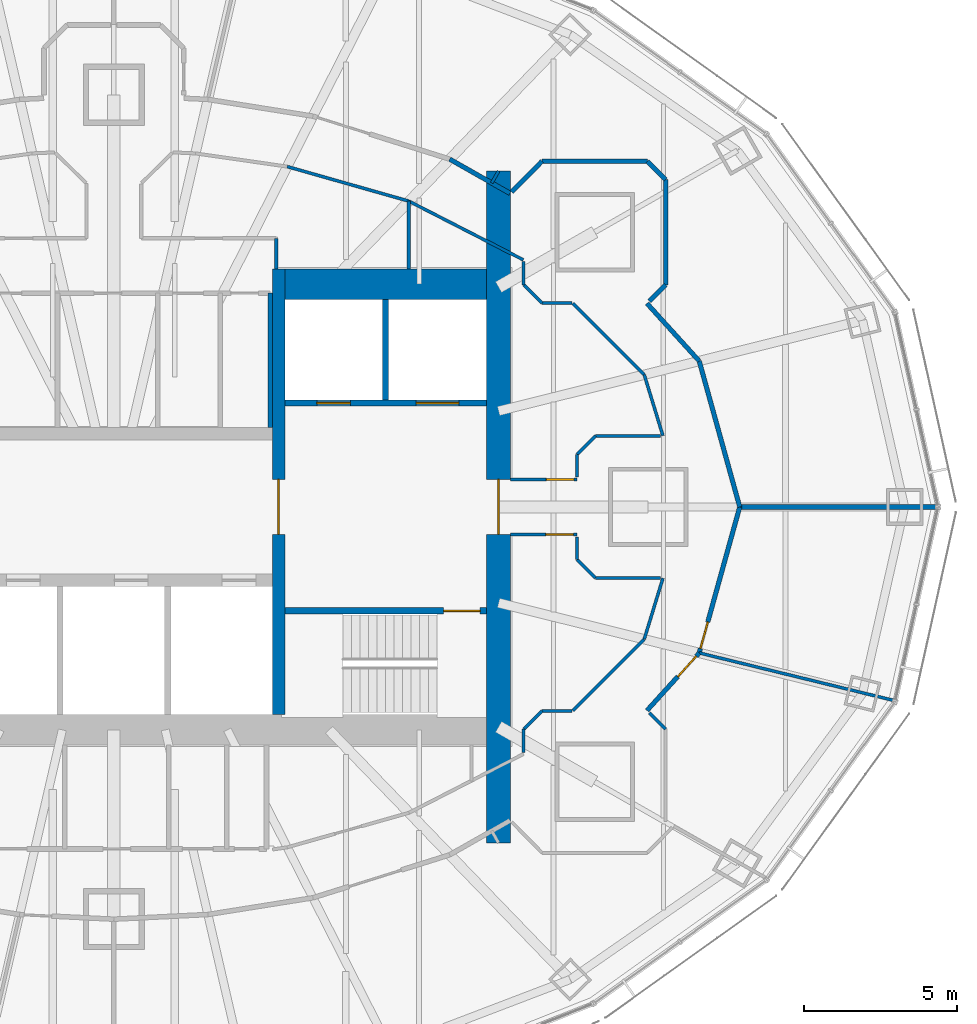
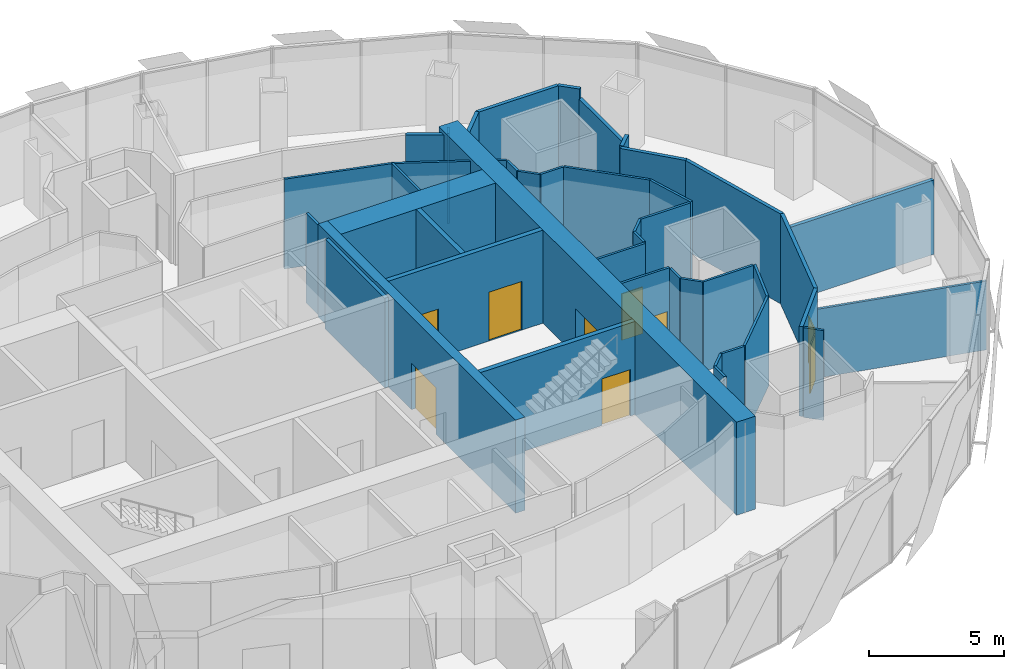
# One storey, part 14 of 18: 43 walls, 9 doors, 9 openings.
"""IFC4 building model written with IfcOpenShell, lengths in metres."""

import ifcopenshell
import ifcopenshell.guid

model = None  # the IFC model being written
_history = None  # IfcOwnerHistory: only IFC2X3 demands one
_inside = {}  # id of a spatial element -> (the spatial element, [elements in it])
_under = {}  # id of a project, library or spatial element -> (it, [spatial elements below it])
_declared = {}  # id of a project -> (the project, [libraries it declares])
_typed = {}  # id of a type object -> (the type object, [elements of that type])
_made_of = {}  # id of a material, layer set ... -> (it, [elements and type objects made of it])


def new_model(schema):
    """Start an empty IFC model of exactly this schema.

    Asked for "IFC4X3", IfcOpenShell would pick the latest addendum, in which some entities
    have other attributes; the version numbers below select the first issue.
    IFC2X3 requires an IfcOwnerHistory on every rooted entity: one is made here for all.
    """
    global model, _history
    if schema == "IFC4X3":
        model = ifcopenshell.file(schema_version=(4, 3, 0, 0))
    else:
        model = ifcopenshell.file(schema=schema)
    _inside.clear()
    _under.clear()
    _declared.clear()
    _typed.clear()
    _made_of.clear()
    _history = None
    if model.schema == "IFC2X3":
        org = make("IfcOrganization", Name="unknown")
        user = make(
            "IfcPersonAndOrganization",
            ThePerson=make("IfcPerson", FamilyName="unknown"),
            TheOrganization=org,
        )
        app = make(
            "IfcApplication",
            ApplicationDeveloper=org,
            Version="unknown",
            ApplicationFullName="unknown",
            ApplicationIdentifier="unknown",
        )
        _history = make(
            "IfcOwnerHistory",
            OwningUser=user,
            OwningApplication=app,
            ChangeAction="ADDED",
            CreationDate=0,
        )
    return model


def make(cls, **values):
    """One entity of the class cls with the attributes given. An attribute that is None is left unset."""
    return model.create_entity(
        cls, **{name: value for name, value in values.items() if value is not None}
    )


def rooted(cls, **values):
    """An entity with a GlobalId (a new one), such as an element, a storey or a relation."""
    return make(cls, GlobalId=ifcopenshell.guid.new(), OwnerHistory=_history, **values)


def si_unit(unit_type, name, prefix=None):
    """IfcSIUnit, for example si_unit("LENGTHUNIT", "METRE", prefix="MILLI")."""
    return make("IfcSIUnit", UnitType=unit_type, Prefix=prefix, Name=name)


def assignment(units):
    """IfcUnitAssignment: the units of a project."""
    return None if units is None else make("IfcUnitAssignment", Units=units)


def point(xyz):
    """IfcCartesianPoint."""
    return None if xyz is None else make("IfcCartesianPoint", Coordinates=xyz)


def direction(xyz):
    """IfcDirection."""
    return None if xyz is None else make("IfcDirection", DirectionRatios=xyz)


def frame(location, z_axis=None, x_axis=None):
    """IfcAxis2Placement3D, a coordinate frame: its origin and axes. An axis left out is left unset."""
    return make(
        "IfcAxis2Placement3D",
        Location=point(location),
        Axis=direction(z_axis),
        RefDirection=direction(x_axis),
    )


def frame_2d(location, x_axis=None):
    """IfcAxis2Placement2D, a coordinate frame in the plane: its origin and x axis."""
    return make(
        "IfcAxis2Placement2D", Location=point(location), RefDirection=direction(x_axis)
    )


def origin():
    """The frame at (0, 0, 0) with its axes left unset."""
    return frame((0.0, 0.0, 0.0))


def place(relative_to, where):
    """IfcLocalPlacement: puts the frame where relative to a parent placement (None: the world)."""
    return make(
        "IfcLocalPlacement", PlacementRelTo=relative_to, RelativePlacement=where
    )


def context(
    kind, dimensions, precision=None, world=None, true_north=None, identifier=None
):
    """IfcGeometricRepresentationContext, for example the 3D "Model" context."""
    return make(
        "IfcGeometricRepresentationContext",
        ContextIdentifier=identifier,
        ContextType=kind,
        CoordinateSpaceDimension=dimensions,
        Precision=precision,
        WorldCoordinateSystem=world,
        TrueNorth=true_north,
    )


def subcontext(parent, identifier, kind, view, scale=None):
    """IfcGeometricRepresentationSubContext, for example "Body" below "Model"."""
    return make(
        "IfcGeometricRepresentationSubContext",
        ContextIdentifier=identifier,
        ContextType=kind,
        ParentContext=parent,
        TargetScale=scale,
        TargetView=view,
    )


def project(units=None, contexts=None):
    """IfcProject with its units and contexts."""
    return rooted(
        "IfcProject",
        Name="project",
        RepresentationContexts=contexts,
        UnitsInContext=assignment(units),
    )


def spatial(cls, under=None, at=None, **own):
    """A site, building, storey or space (cls), placed at a placement, below another one or the project."""
    s = rooted(cls, ObjectPlacement=at, **own)
    if under is not None:
        _under.setdefault(under.id(), (under, []))[1].append(s)
    return s


def profile(cls, at=None, kind="AREA", **sizes):
    """A parametric profile (cls). Its sizes go by their IFC names, for example OverallWidth=200.0."""
    return make(cls, ProfileType=kind, Position=at, **sizes)


def rectangle(**sizes):
    """IfcRectangleProfileDef."""
    return profile("IfcRectangleProfileDef", **sizes)


def extrude(swept, where, along, depth):
    """IfcExtrudedAreaSolid: the profile swept, set in the frame where, extruded along a direction by depth."""
    return make(
        "IfcExtrudedAreaSolid",
        SweptArea=swept,
        Position=where,
        ExtrudedDirection=direction(along),
        Depth=depth,
    )


def shape(context_of_items, identifier, shape_type, items):
    """IfcShapeRepresentation: the items that make up one representation, for example the "Body"."""
    return make(
        "IfcShapeRepresentation",
        ContextOfItems=context_of_items,
        RepresentationIdentifier=identifier,
        RepresentationType=shape_type,
        Items=items,
    )


def material(Name=None, Category=None):
    """IfcMaterial."""
    return make("IfcMaterial", Name=Name, Category=Category)


def layer(
    of_material, thickness, ventilated=None, Name=None, Category=None, Priority=None
):
    """IfcMaterialLayer: one layer of a wall or slab, of a material (None: an air gap)."""
    return make(
        "IfcMaterialLayer",
        Material=of_material,
        LayerThickness=thickness,
        IsVentilated=ventilated,
        Name=Name,
        Category=Category,
        Priority=Priority,
    )


def layer_set(layers, Name=None):
    """IfcMaterialLayerSet."""
    return make("IfcMaterialLayerSet", MaterialLayers=layers, LayerSetName=Name)


def made_of(thing, what):
    """Note that an element or type object is made of a material, layer set ...; save() writes the relation."""
    if what is not None:
        _made_of.setdefault(what.id(), (what, []))[1].append(thing)
    return thing


def type_object(cls, material=None, **own):
    """A type object (cls), such as IfcWallType, which elements share."""
    return made_of(rooted(cls, **own), material)


def element(
    cls,
    number,
    at=None,
    inside=None,
    cuts=None,
    type_object=None,
    material=None,
    context=None,
    identifier="Body",
    shape_type=None,
    held_by="IfcProductDefinitionShape",
    body=None,
    shapes=None,
    **own,
):
    """One element of the class cls, such as IfcWall. Its Tag is "e" and its number.

    at: its placement. inside: the storey or other place that contains it. cuts: it is an
    opening in that element (IfcRelVoidsElement). A single representation is given by context,
    identifier, shape_type and body (its items); several are given by shapes. held_by: the class
    of the entity that holds the representations. save() writes the other relations.
    """
    e = rooted(cls, Tag="e%d" % number, ObjectPlacement=at, **own)
    if body is not None:
        shapes = [shape(context, identifier, shape_type, body)]
    if shapes is not None:
        e.Representation = make(held_by, Representations=shapes)
    if inside is not None:
        _inside.setdefault(inside.id(), (inside, []))[1].append(e)
    if cuts is not None:
        rooted(
            "IfcRelVoidsElement", RelatingBuildingElement=cuts, RelatedOpeningElement=e
        )
    if type_object is not None:
        _typed.setdefault(type_object.id(), (type_object, []))[1].append(e)
    return made_of(e, material)


def fill(opening, filler):
    """IfcRelFillsElement: the door or window that sits in an opening."""
    return rooted(
        "IfcRelFillsElement",
        RelatingOpeningElement=opening,
        RelatedBuildingElement=filler,
    )


def aggregate(whole, parts):
    """IfcRelAggregates: a whole, such as a stair, and the parts it consists of."""
    return rooted("IfcRelAggregates", RelatingObject=whole, RelatedObjects=parts)


def save(model, path):
    """Write the relations noted so far, then the file.

    IfcRelAggregates (storeys below a building ...), IfcRelContainedInSpatialStructure (elements
    in a storey), IfcRelDefinesByType, IfcRelAssociatesMaterial and IfcRelDeclares: one each for
    every whole, place, type object, material and project.
    """
    for whole, parts in _under.values():
        aggregate(whole, parts)
    for where, things in _inside.values():
        rooted(
            "IfcRelContainedInSpatialStructure",
            RelatedElements=things,
            RelatingStructure=where,
        )
    for kind, things in _typed.values():
        rooted("IfcRelDefinesByType", RelatedObjects=things, RelatingType=kind)
    for what, things in _made_of.values():
        rooted("IfcRelAssociatesMaterial", RelatedObjects=things, RelatingMaterial=what)
    for by, libraries in _declared.values():
        rooted("IfcRelDeclares", RelatingContext=by, RelatedDefinitions=libraries)
    model.write(path)


model = new_model("IFC4")

# Units and contexts
model_context = context("Model", 3, precision=1e-05, world=origin(), true_north=direction((0.0, 1.0)))
body_context = subcontext(model_context, "Body", "Model", "MODEL_VIEW")
ifc_project = project(units=[si_unit("LENGTHUNIT", "METRE"), si_unit("AREAUNIT", "SQUARE_METRE"), si_unit("VOLUMEUNIT", "CUBIC_METRE"), si_unit("PLANEANGLEUNIT", "RADIAN"), si_unit("MASSUNIT", "GRAM", prefix="KILO")], contexts=[model_context])

# Site, building, storey
site_placement = place(None, origin())
site = spatial("IfcSite", under=ifc_project, at=site_placement, CompositionType="ELEMENT")
building_placement = place(site_placement, origin())
building = spatial("IfcBuilding", under=site, at=building_placement, Name="Lantaw Convention Tower", CompositionType="ELEMENT")
storey_placement = place(building_placement, frame((0.0, 0.0, 262.0)))
storey = spatial("IfcBuildingStorey", under=building, at=storey_placement, Name="L61", CompositionType="ELEMENT", Elevation=262.0)

# Wall
ifc_material_1 = material(Name="Concrete C60/75", Category="concrete")
ifc_layer_1 = layer(ifc_material_1, 1.0)
ifc_layer_set_1 = layer_set([ifc_layer_1], Name="Core wall 1000")
wall_type_1 = type_object("IfcWallType", Name="Core wall 1000", PredefinedType="SHEAR", material=ifc_layer_set_1)
wall_1_placement = place(storey_placement, frame((12.199951171875, 7.300048828125, 0.0), z_axis=(0.0, 0.0, 1.0), x_axis=(-1.0, 0.0, 0.0)))
element("IfcWall", 1, at=wall_1_placement, inside=storey, type_object=wall_type_1, Name="Core wall NE", PredefinedType="SHEAR", context=body_context, shape_type="SweptSolid", body=[
    extrude(rectangle(XDim=6.599853515625, YDim=1.0, at=frame_2d((3.2998046875, 0.0))), origin(), (0.0, 0.0, 1.0), 4.199951171875),
])

# Wall, opening, door
ifc_layer_2 = layer(ifc_material_1, 0.199951171875)
ifc_layer_set_2 = layer_set([ifc_layer_2], Name="Core wall 200")
wall_type_2 = type_object("IfcWallType", Name="Core wall 200", PredefinedType="SHEAR", material=ifc_layer_set_2)
wall_2_placement = place(storey_placement, frame((5.60009765625, -3.39990234375, 0.0), z_axis=(0.0, 0.0, 1.0), x_axis=(1.0, 0.0, 0.0)))
wall_2 = element("IfcWall", 2, at=wall_2_placement, inside=storey, type_object=wall_type_2, Name="Core wall ES", PredefinedType="SHEAR", context=body_context, shape_type="SweptSolid", body=[
    extrude(rectangle(XDim=6.599853515625, YDim=0.199951171875, at=frame_2d((3.2998046875, 0.0))), origin(), (0.0, 0.0, 1.0), 4.199951171875),
])
opening_1_placement = place(wall_2_placement, frame((5.199951171875, 0.0, 0.0)))
opening_1 = element("IfcOpeningElement", 3, at=opening_1_placement, cuts=wall_2, Name="Opening L61.03", PredefinedType="OPENING", context=body_context, shape_type="SweptSolid", body=[
    extrude(rectangle(XDim=1.199951171875, YDim=2.10009765625, at=frame_2d((0.60009765625, 1.050048828125))), frame((0.0, 0.10986328125, 0.0), z_axis=(0.0, -1.0, 0.0), x_axis=(1.0, 0.0, 0.0)), (0.0, 0.0, 1.0), 0.219970703125),
])
ifc_material_2 = material(Name="Steel, fire rated", Category="steel")
door_type_1 = type_object("IfcDoorType", Name="Stair door FD90", OperationType="SINGLE_SWING_RIGHT", PredefinedType="DOOR", material=ifc_material_2)
door_1_placement = place(opening_1_placement, origin())
door_1 = element("IfcDoor", 4, at=door_1_placement, inside=storey, type_object=door_type_1, Name="Exit stair door", OperationType="SINGLE_SWING_RIGHT", OverallHeight=2.10009765625, OverallWidth=1.199951171875, PredefinedType="DOOR", context=body_context, shape_type="SweptSolid", body=[
    extrude(rectangle(XDim=1.199951171875, YDim=2.10009765625, at=frame_2d((0.60009765625, 1.050048828125))), frame((0.0, 0.02490234375, 0.0), z_axis=(0.0, -1.0, 0.0), x_axis=(1.0, 0.0, 0.0)), (0.0, 0.0, 1.0), 0.050048828125),
])
fill(opening_1, door_1)

ifc_layer_3 = layer(ifc_material_1, 0.39990234375)
ifc_layer_set_3 = layer_set([ifc_layer_3], Name="Core wall 400")
wall_type_3 = type_object("IfcWallType", Name="Core wall 400", PredefinedType="SHEAR", material=ifc_layer_set_3)
wall_3_placement = place(storey_placement, frame((5.39990234375, -6.800048828125, 0.0), z_axis=(0.0, 0.0, 1.0), x_axis=(0.0, 1.0, 0.0)))
wall_3 = element("IfcWall", 5, at=wall_3_placement, inside=storey, type_object=wall_type_3, Name="Core wall XE", PredefinedType="SHEAR", context=body_context, shape_type="SweptSolid", body=[
    extrude(rectangle(XDim=14.60009765625, YDim=0.39990234375, at=frame_2d((7.300048828125, 0.0))), origin(), (0.0, 0.0, 1.0), 4.199951171875),
])
opening_2_placement = place(wall_3_placement, frame((5.89990234375, 0.0, 0.0)))
opening_2 = element("IfcOpeningElement", 6, at=opening_2_placement, cuts=wall_3, Name="Opening L61.01", PredefinedType="OPENING", context=body_context, shape_type="SweptSolid", body=[
    extrude(rectangle(XDim=1.800048828125, YDim=2.10009765625, at=frame_2d((0.89990234375, 1.050048828125))), frame((0.0, 0.2099609375, 0.0), z_axis=(0.0, -1.0, 0.0), x_axis=(1.0, 0.0, 0.0)), (0.0, 0.0, 1.0), 0.419921875),
])
door_type_2 = type_object("IfcDoorType", Name="Lobby double door FD90", OperationType="DOUBLE_DOOR_DOUBLE_SWING", PredefinedType="DOOR", material=ifc_material_2)
door_2_placement = place(opening_2_placement, origin())
door_2 = element("IfcDoor", 7, at=door_2_placement, inside=storey, type_object=door_type_2, Name="Lift lobby door", OperationType="DOUBLE_DOOR_DOUBLE_SWING", OverallHeight=2.10009765625, OverallWidth=1.800048828125, PredefinedType="DOOR", context=body_context, shape_type="SweptSolid", body=[
    extrude(rectangle(XDim=1.800048828125, YDim=2.10009765625, at=frame_2d((0.89990234375, 1.050048828125))), frame((0.0, 0.02490234375, 0.0), z_axis=(0.0, -1.0, 0.0), x_axis=(1.0, 0.0, 0.0)), (0.0, 0.0, 1.0), 0.050048828125),
])
fill(opening_2, door_2)

ifc_layer_4 = layer(ifc_material_1, 0.800048828125)
ifc_layer_set_4 = layer_set([ifc_layer_4], Name="Core wall 800")
wall_type_4 = type_object("IfcWallType", Name="Core wall 800", PredefinedType="SHEAR", material=ifc_layer_set_4)
wall_4_placement = place(storey_placement, frame((12.60009765625, -11.0, 0.0), z_axis=(0.0, 0.0, 1.0), x_axis=(0.0, 1.0, 0.0)))
wall_4 = element("IfcWall", 8, at=wall_4_placement, inside=storey, type_object=wall_type_4, Name="Core wall E", PredefinedType="SHEAR", context=body_context, shape_type="SweptSolid", body=[
    extrude(rectangle(XDim=22.0, YDim=0.800048828125, at=frame_2d((11.0, 0.0))), origin(), (0.0, 0.0, 1.0), 4.199951171875),
])
opening_3_placement = place(wall_4_placement, frame((10.10009765625, 0.0, 0.0)))
opening_3 = element("IfcOpeningElement", 9, at=opening_3_placement, cuts=wall_4, Name="Opening L61.05", PredefinedType="OPENING", context=body_context, shape_type="SweptSolid", body=[
    extrude(rectangle(XDim=1.800048828125, YDim=2.10009765625, at=frame_2d((0.89990234375, 1.050048828125))), frame((0.0, 0.409912109375, 0.0), z_axis=(0.0, -1.0, 0.0), x_axis=(1.0, 0.0, 0.0)), (0.0, 0.0, 1.0), 0.820068359375),
])
door_3_placement = place(opening_3_placement, origin())
door_3 = element("IfcDoor", 10, at=door_3_placement, inside=storey, type_object=door_type_2, Name="Firefighting lobby door", OperationType="DOUBLE_DOOR_DOUBLE_SWING", OverallHeight=2.10009765625, OverallWidth=1.800048828125, PredefinedType="DOOR", context=body_context, shape_type="SweptSolid", body=[
    extrude(rectangle(XDim=1.800048828125, YDim=2.10009765625, at=frame_2d((0.89990234375, 1.050048828125))), frame((0.0, 0.02490234375, 0.0), z_axis=(0.0, -1.0, 0.0), x_axis=(1.0, 0.0, 0.0)), (0.0, 0.0, 1.0), 0.050048828125),
])
fill(opening_3, door_3)

# Wall
ifc_material_3 = material(Name="Gypsum board on steel studs, fire rated", Category="steel")
ifc_layer_5 = layer(ifc_material_3, 0.14990234375)
ifc_layer_set_5 = layer_set([ifc_layer_5], Name="Corridor wall 150 EI 60")
wall_type_5 = type_object("IfcWallType", Name="Corridor wall 150 EI 60", PredefinedType="PARTITIONING", material=ifc_layer_set_5)
wall_5_placement = place(storey_placement, frame((20.5, 0.0, 0.0), z_axis=(0.0, 0.0, 1.0), x_axis=(-0.26770731566, 0.963500281859, 0.0)))
element("IfcWall", 11, at=wall_5_placement, inside=storey, type_object=wall_type_5, Name="Corridor wall 150", PredefinedType="PARTITIONING", context=body_context, shape_type="SweptSolid", body=[
    extrude(rectangle(XDim=4.961181640625, YDim=0.14990234375, at=frame_2d((2.48046875, 0.0))), origin(), (0.0, 0.0, 1.0), 4.050048828125),
])

# Wall, opening, door
wall_6_placement = place(storey_placement, frame((19.171875, -4.780029296875, 0.0), z_axis=(0.0, 0.0, 1.0), x_axis=(0.26770731566, 0.963500281859, 0.0)))
wall_6 = element("IfcWall", 12, at=wall_6_placement, inside=storey, type_object=wall_type_5, Name="Corridor wall 150", PredefinedType="PARTITIONING", context=body_context, shape_type="SweptSolid", body=[
    extrude(rectangle(XDim=4.961181640625, YDim=0.14990234375, at=frame_2d((2.48046875, 0.0))), origin(), (0.0, 0.0, 1.0), 4.050048828125),
])
opening_4_placement = place(wall_6_placement, frame((0.14990234375, 0.0, 0.0)))
opening_4 = element("IfcOpeningElement", 13, at=opening_4_placement, cuts=wall_6, Name="Opening L61.38", PredefinedType="OPENING", context=body_context, shape_type="SweptSolid", body=[
    extrude(rectangle(XDim=0.89990234375, YDim=2.10009765625, at=frame_2d((0.449951171875, 1.050048828125))), frame((0.0, 0.0849609375, 0.0), z_axis=(0.0, -1.0, 0.0), x_axis=(1.0, 0.0, 0.0)), (0.0, 0.0, 1.0), 0.169921875),
])
door_type_3 = type_object("IfcDoorType", Name="Office door 900 FD30", OperationType="SINGLE_SWING_LEFT", PredefinedType="DOOR", material=ifc_material_2)
door_4_placement = place(opening_4_placement, origin())
door_4 = element("IfcDoor", 14, at=door_4_placement, inside=storey, type_object=door_type_3, Name="Pantry door", OperationType="SINGLE_SWING_LEFT", OverallHeight=2.10009765625, OverallWidth=0.89990234375, PredefinedType="DOOR", context=body_context, shape_type="SweptSolid", body=[
    extrude(rectangle(XDim=0.89990234375, YDim=2.10009765625, at=frame_2d((0.449951171875, 1.050048828125))), frame((0.0, 0.02490234375, 0.0), z_axis=(0.0, -1.0, 0.0), x_axis=(1.0, 0.0, 0.0)), (0.0, 0.0, 1.0), 0.050048828125),
])
fill(opening_4, door_4)

wall_7_placement = place(storey_placement, frame((17.462646484375, -6.6650390625, 0.0), z_axis=(0.0, 0.0, 1.0), x_axis=(0.671721890643, 0.74080341632, 0.0)))
wall_7 = element("IfcWall", 15, at=wall_7_placement, inside=storey, type_object=wall_type_5, Name="Corridor wall 150", PredefinedType="PARTITIONING", context=body_context, shape_type="SweptSolid", body=[
    extrude(rectangle(XDim=2.54443359375, YDim=0.14990234375, at=frame_2d((1.272216796875, 0.0))), origin(), (0.0, 0.0, 1.0), 4.050048828125),
])
opening_5_placement = place(wall_7_placement, frame((1.5, 0.0, 0.0)))
opening_5 = element("IfcOpeningElement", 16, at=opening_5_placement, cuts=wall_7, Name="Opening L61.37", PredefinedType="OPENING", context=body_context, shape_type="SweptSolid", body=[
    extrude(rectangle(XDim=0.89990234375, YDim=2.10009765625, at=frame_2d((0.449951171875, 1.050048828125))), frame((0.0, 0.0849609375, 0.0), z_axis=(0.0, -1.0, 0.0), x_axis=(1.0, 0.0, 0.0)), (0.0, 0.0, 1.0), 0.169921875),
])
door_5_placement = place(opening_5_placement, origin())
door_5 = element("IfcDoor", 17, at=door_5_placement, inside=storey, type_object=door_type_3, Name="Meeting room door", OperationType="SINGLE_SWING_LEFT", OverallHeight=2.10009765625, OverallWidth=0.89990234375, PredefinedType="DOOR", context=body_context, shape_type="SweptSolid", body=[
    extrude(rectangle(XDim=0.89990234375, YDim=2.10009765625, at=frame_2d((0.449951171875, 1.050048828125))), frame((0.0, 0.02490234375, 0.0), z_axis=(0.0, -1.0, 0.0), x_axis=(1.0, 0.0, 0.0)), (0.0, 0.0, 1.0), 0.050048828125),
])
fill(opening_5, door_5)

# Walls
wall_8_placement = place(storey_placement, frame((19.171875, 4.780029296875, 0.0), z_axis=(0.0, 0.0, 1.0), x_axis=(-0.671721890643, 0.74080341632, 0.0)))
element("IfcWall", 18, at=wall_8_placement, inside=storey, type_object=wall_type_5, Name="Corridor wall 150", PredefinedType="PARTITIONING", context=body_context, shape_type="SweptSolid", body=[
    extrude(rectangle(XDim=2.54443359375, YDim=0.14990234375, at=frame_2d((1.272216796875, 0.0))), origin(), (0.0, 0.0, 1.0), 4.050048828125),
])
wall_9_placement = place(storey_placement, frame((12.974609375, 10.271484375, 0.0), z_axis=(0.0, 0.0, 1.0), x_axis=(-0.869722107117, 0.493541747366, 0.0)))
element("IfcWall", 19, at=wall_9_placement, inside=storey, type_object=wall_type_5, Name="Corridor wall 150", PredefinedType="PARTITIONING", context=body_context, shape_type="SweptSolid", body=[
    extrude(rectangle(XDim=2.26953125, YDim=0.14990234375, at=frame_2d((1.134765625, 0.0))), origin(), (0.0, 0.0, 1.0), 4.050048828125),
])
wall_10_placement = place(storey_placement, frame((13.035888671875, 10.318603515625, 0.0), z_axis=(0.0, 0.0, 1.0), x_axis=(0.701113567316, 0.713049623606, 0.0)))
element("IfcWall", 20, at=wall_10_placement, inside=storey, type_object=wall_type_5, Name="Corridor wall 150", PredefinedType="PARTITIONING", context=body_context, shape_type="SweptSolid", body=[
    extrude(rectangle(XDim=1.411376953125, YDim=0.14990234375, at=frame_2d((0.70556640625, 0.0))), origin(), (0.0, 0.0, 1.0), 4.050048828125),
])
wall_11_placement = place(storey_placement, frame((14.025390625, 11.324951171875, 0.0), z_axis=(0.0, 0.0, 1.0), x_axis=(1.0, 0.0, 0.0)))
element("IfcWall", 21, at=wall_11_placement, inside=storey, type_object=wall_type_5, Name="Corridor wall 150", PredefinedType="PARTITIONING", context=body_context, shape_type="SweptSolid", body=[
    extrude(rectangle(XDim=3.44921875, YDim=0.14990234375, at=frame_2d((1.724609375, 0.0))), origin(), (0.0, 0.0, 1.0), 4.050048828125),
])
wall_12_placement = place(storey_placement, frame((17.474609375, 11.324951171875, 0.0), z_axis=(0.0, 0.0, 1.0), x_axis=(0.707106781187, -0.707106781187, 0.0)))
element("IfcWall", 22, at=wall_12_placement, inside=storey, type_object=wall_type_5, Name="Corridor wall 150", PredefinedType="PARTITIONING", context=body_context, shape_type="SweptSolid", body=[
    extrude(rectangle(XDim=0.84912109375, YDim=0.14990234375, at=frame_2d((0.424560546875, 0.0))), origin(), (0.0, 0.0, 1.0), 4.050048828125),
])
wall_13_placement = place(storey_placement, frame((18.074951171875, 10.724609375, 0.0), z_axis=(0.0, 0.0, 1.0), x_axis=(0.0, -1.0, 0.0)))
element("IfcWall", 23, at=wall_13_placement, inside=storey, type_object=wall_type_5, Name="Corridor wall 150", PredefinedType="PARTITIONING", context=body_context, shape_type="SweptSolid", body=[
    extrude(rectangle(XDim=3.44921875, YDim=0.14990234375, at=frame_2d((1.724609375, 0.0))), origin(), (0.0, 0.0, 1.0), 3.600341796875),
])
wall_14_placement = place(storey_placement, frame((18.074951171875, 7.275390625, 0.0), z_axis=(0.0, 0.0, 1.0), x_axis=(-0.707106781187, -0.707106781187, 0.0)))
element("IfcWall", 24, at=wall_14_placement, inside=storey, type_object=wall_type_5, Name="Corridor wall 150", PredefinedType="PARTITIONING", context=body_context, shape_type="SweptSolid", body=[
    extrude(rectangle(XDim=0.759521484375, YDim=0.14990234375, at=frame_2d((0.3798828125, 0.0))), origin(), (0.0, 0.0, 1.0), 4.050048828125),
])
ifc_material_4 = material(Name="Gypsum board on steel studs, acoustic", Category="steel")
ifc_layer_6 = layer(ifc_material_4, 0.10009765625)
ifc_layer_set_6 = layer_set([ifc_layer_6], Name="Office partition 100")
wall_type_6 = type_object("IfcWallType", Name="Office partition 100", PredefinedType="PARTITIONING", material=ifc_layer_set_6)
wall_15_placement = place(storey_placement, frame((25.54296875, -6.33544921875, 0.0), z_axis=(0.0, 0.0, 1.0), x_axis=(-0.971467850621, 0.237171278215, 0.0)))
element("IfcWall", 25, at=wall_15_placement, inside=storey, type_object=wall_type_6, Name="Office partition 100", PredefinedType="PARTITIONING", context=body_context, shape_type="SweptSolid", body=[
    extrude(rectangle(XDim=6.55810546875, YDim=0.10009765625, at=frame_2d((3.279052734375, 0.0))), origin(), (0.0, 0.0, 1.0), 3.107666015625),
])
wall_16_placement = place(storey_placement, frame((5.320068359375, 7.800048828125, 0.0), z_axis=(0.0, 0.0, 1.0), x_axis=(0.0, 1.0, 0.0)))
element("IfcWall", 26, at=wall_16_placement, inside=storey, type_object=wall_type_6, Name="Office partition 100", PredefinedType="PARTITIONING", context=body_context, shape_type="SweptSolid", body=[
    extrude(rectangle(XDim=1.0, YDim=0.10009765625, at=frame_2d((0.5, 0.0))), origin(), (0.0, 0.0, 1.0), 4.050048828125),
])
wall_17_placement = place(storey_placement, frame((5.679931640625, 11.147216796875, 0.0), z_axis=(0.0, 0.0, 1.0), x_axis=(0.961970251804, -0.27315423234, 0.0)))
element("IfcWall", 27, at=wall_17_placement, inside=storey, type_object=wall_type_6, Name="Office partition 100", PredefinedType="PARTITIONING", context=body_context, shape_type="SweptSolid", body=[
    extrude(rectangle(XDim=4.13720703125, YDim=0.10009765625, at=frame_2d((2.068603515625, 0.0))), origin(), (0.0, 0.0, 1.0), 4.050048828125),
])
wall_18_placement = place(storey_placement, frame((9.659912109375, 10.01708984375, 0.0), z_axis=(0.0, 0.0, 1.0), x_axis=(0.0, -1.0, 0.0)))
element("IfcWall", 28, at=wall_18_placement, inside=storey, type_object=wall_type_6, Name="Office partition 100", PredefinedType="PARTITIONING", context=body_context, shape_type="SweptSolid", body=[
    extrude(rectangle(XDim=2.217041015625, YDim=0.10009765625, at=frame_2d((1.1083984375, 0.0))), origin(), (0.0, 0.0, 1.0), 4.050048828125),
])
wall_19_placement = place(storey_placement, frame((12.60009765625, 11.0, 0.0), z_axis=(0.0, 0.0, 1.0), x_axis=(-0.493794495037, -0.869578631678, 0.0)))
element("IfcWall", 29, at=wall_19_placement, inside=storey, type_object=wall_type_6, Name="Office partition 100", PredefinedType="PARTITIONING", context=body_context, shape_type="SweptSolid", body=[
    extrude(rectangle(XDim=0.448974609375, YDim=0.10009765625, at=frame_2d((0.224609375, 0.0))), origin(), (0.0, 0.0, 1.0), 4.050048828125),
])
wall_20_placement = place(storey_placement, frame((17.37158203125, -4.331298828125, 0.0), z_axis=(0.0, 0.0, 1.0), x_axis=(-0.707587114823, -0.70662612104, 0.0)))
element("IfcWall", 30, at=wall_20_placement, inside=storey, type_object=wall_type_6, Name="Office partition 100", PredefinedType="PARTITIONING", context=body_context, shape_type="SweptSolid", body=[
    extrude(rectangle(XDim=3.302734375, YDim=0.10009765625, at=frame_2d((1.6513671875, 0.0))), origin(), (0.0, 0.0, 1.0), 4.050048828125),
])
wall_21_placement = place(storey_placement, frame((13.425048828125, -8.045654296875, 0.0), z_axis=(0.0, 0.0, 1.0), x_axis=(0.0, 1.0, 0.0)))
element("IfcWall", 31, at=wall_21_placement, inside=storey, type_object=wall_type_6, Name="Office partition 100", PredefinedType="PARTITIONING", context=body_context, shape_type="SweptSolid", body=[
    extrude(rectangle(XDim=0.770263671875, YDim=0.10009765625, at=frame_2d((0.38525390625, 0.0))), origin(), (0.0, 0.0, 1.0), 4.050048828125),
])
wall_22_placement = place(storey_placement, frame((13.425048828125, -7.275390625, 0.0), z_axis=(0.0, 0.0, 1.0), x_axis=(0.707106781187, 0.707106781187, 0.0)))
element("IfcWall", 32, at=wall_22_placement, inside=storey, type_object=wall_type_6, Name="Office partition 100", PredefinedType="PARTITIONING", context=body_context, shape_type="SweptSolid", body=[
    extrude(rectangle(XDim=0.84912109375, YDim=0.10009765625, at=frame_2d((0.424560546875, 0.0))), origin(), (0.0, 0.0, 1.0), 4.050048828125),
])
wall_23_placement = place(storey_placement, frame((14.025390625, -6.675048828125, 0.0), z_axis=(0.0, 0.0, 1.0), x_axis=(1.0, 0.0, 0.0)))
element("IfcWall", 33, at=wall_23_placement, inside=storey, type_object=wall_type_6, Name="Office partition 100", PredefinedType="PARTITIONING", context=body_context, shape_type="SweptSolid", body=[
    extrude(rectangle(XDim=0.976806640625, YDim=0.10009765625, at=frame_2d((0.48828125, 0.0))), origin(), (0.0, 0.0, 1.0), 4.050048828125),
])
wall_24_placement = place(storey_placement, frame((17.537841796875, -6.73828125, 0.0), z_axis=(0.0, 0.0, 1.0), x_axis=(0.707106781187, -0.707106781187, 0.0)))
element("IfcWall", 34, at=wall_24_placement, inside=storey, type_object=wall_type_6, Name="Office partition 100", PredefinedType="PARTITIONING", context=body_context, shape_type="SweptSolid", body=[
    extrude(rectangle(XDim=0.759521484375, YDim=0.10009765625, at=frame_2d((0.3798828125, 0.0))), origin(), (0.0, 0.0, 1.0), 4.050048828125),
])
wall_25_placement = place(storey_placement, frame((9.659912109375, 10.01708984375, 0.0), z_axis=(0.0, 0.0, 1.0), x_axis=(0.889833724874, -0.456284935185, 0.0)))
element("IfcWall", 35, at=wall_25_placement, inside=storey, type_object=wall_type_6, Name="Office partition 100", PredefinedType="PARTITIONING", context=body_context, shape_type="SweptSolid", body=[
    extrude(rectangle(XDim=4.219970703125, YDim=0.10009765625, at=frame_2d((2.10986328125, 0.0))), origin(), (0.0, 0.0, 1.0), 4.050048828125),
])
wall_26_placement = place(storey_placement, frame((15.03466796875, 6.6650390625, 0.0), z_axis=(0.0, 0.0, 1.0), x_axis=(0.707587114823, -0.70662612104, 0.0)))
element("IfcWall", 36, at=wall_26_placement, inside=storey, type_object=wall_type_6, Name="Office partition 100", PredefinedType="PARTITIONING", context=body_context, shape_type="SweptSolid", body=[
    extrude(rectangle(XDim=3.302734375, YDim=0.10009765625, at=frame_2d((1.6513671875, 0.0))), origin(), (0.0, 0.0, 1.0), 4.050048828125),
])
wall_27_placement = place(storey_placement, frame((15.002197265625, 6.675048828125, 0.0), z_axis=(0.0, 0.0, 1.0), x_axis=(-1.0, 0.0, 0.0)))
element("IfcWall", 37, at=wall_27_placement, inside=storey, type_object=wall_type_6, Name="Office partition 100", PredefinedType="PARTITIONING", context=body_context, shape_type="SweptSolid", body=[
    extrude(rectangle(XDim=0.976806640625, YDim=0.10009765625, at=frame_2d((0.48828125, 0.0))), origin(), (0.0, 0.0, 1.0), 4.050048828125),
])
wall_28_placement = place(storey_placement, frame((14.025390625, 6.675048828125, 0.0), z_axis=(0.0, 0.0, 1.0), x_axis=(-0.707106781187, 0.707106781187, 0.0)))
element("IfcWall", 38, at=wall_28_placement, inside=storey, type_object=wall_type_6, Name="Office partition 100", PredefinedType="PARTITIONING", context=body_context, shape_type="SweptSolid", body=[
    extrude(rectangle(XDim=0.84912109375, YDim=0.10009765625, at=frame_2d((0.424560546875, 0.0))), origin(), (0.0, 0.0, 1.0), 4.050048828125),
])
wall_29_placement = place(storey_placement, frame((13.425048828125, 7.275390625, 0.0), z_axis=(0.0, 0.0, 1.0), x_axis=(0.0, 1.0, 0.0)))
element("IfcWall", 39, at=wall_29_placement, inside=storey, type_object=wall_type_6, Name="Office partition 100", PredefinedType="PARTITIONING", context=body_context, shape_type="SweptSolid", body=[
    extrude(rectangle(XDim=0.77001953125, YDim=0.10009765625, at=frame_2d((0.385009765625, 0.0))), origin(), (0.0, 0.0, 1.0), 4.050048828125),
])

# Wall, opening, door
wall_30_placement = place(storey_placement, frame((13.0, -0.89990234375, 0.0), z_axis=(0.0, 0.0, 1.0), x_axis=(1.0, 0.0, 0.0)))
wall_30 = element("IfcWall", 40, at=wall_30_placement, inside=storey, type_object=wall_type_6, Name="Office partition 100", PredefinedType="PARTITIONING", context=body_context, shape_type="SweptSolid", body=[
    extrude(rectangle(XDim=2.1650390625, YDim=0.10009765625, at=frame_2d((1.08251953125, 0.0))), origin(), (0.0, 0.0, 1.0), 4.050048828125),
])
opening_6_placement = place(wall_30_placement, frame((1.14990234375, 0.0, 0.0)))
opening_6 = element("IfcOpeningElement", 41, at=opening_6_placement, cuts=wall_30, Name="Opening L61.25", PredefinedType="OPENING", context=body_context, shape_type="SweptSolid", body=[
    extrude(rectangle(XDim=0.89990234375, YDim=2.10009765625, at=frame_2d((0.449951171875, 1.050048828125))), frame((0.0, 0.06005859375, 0.0), z_axis=(0.0, -1.0, 0.0), x_axis=(1.0, 0.0, 0.0)), (0.0, 0.0, 1.0), 0.1201171875),
])
ifc_material_5 = material(Name="Timber", Category="wood")
door_type_4 = type_object("IfcDoorType", Name="Office door 900", OperationType="SINGLE_SWING_LEFT", PredefinedType="DOOR", material=ifc_material_5)
door_6_placement = place(opening_6_placement, origin())
door_6 = element("IfcDoor", 42, at=door_6_placement, inside=storey, type_object=door_type_4, Name="Meeting room door", OperationType="SINGLE_SWING_LEFT", OverallHeight=2.10009765625, OverallWidth=0.89990234375, PredefinedType="DOOR", context=body_context, shape_type="SweptSolid", body=[
    extrude(rectangle(XDim=0.89990234375, YDim=2.10009765625, at=frame_2d((0.449951171875, 1.050048828125))), frame((0.0, 0.02490234375, 0.0), z_axis=(0.0, -1.0, 0.0), x_axis=(1.0, 0.0, 0.0)), (0.0, 0.0, 1.0), 0.050048828125),
])
fill(opening_6, door_6)

# Walls
for number, where, z_axis, x_axis, name in (
    (43, (17.98388671875, -2.3349609375, 0.0), (0.0, 0.0, 1.0), (-0.293231279211, -0.956041535129, 0.0), "Office partition 100"),
    (44, (17.37158203125, 4.331298828125, 0.0), (0.0, 0.0, 1.0), (0.293231279211, -0.956041535129, 0.0), "Office partition 100"),
):
    element("IfcWall", number, at=place(storey_placement, frame(where, z_axis=z_axis, x_axis=x_axis)), inside=storey, type_object=wall_type_6, Name=name, PredefinedType="PARTITIONING", context=body_context, shape_type="SweptSolid", body=[
        extrude(rectangle(XDim=2.088134765625, YDim=0.10009765625, at=frame_2d((1.0439453125, 0.0))), origin(), (0.0, 0.0, 1.0), 4.050048828125),
    ])

# Wall, opening, door
wall_31_placement = place(storey_placement, frame((15.1650390625, 0.89990234375, 0.0), z_axis=(0.0, 0.0, 1.0), x_axis=(-1.0, 0.0, 0.0)))
wall_31 = element("IfcWall", 45, at=wall_31_placement, inside=storey, type_object=wall_type_6, Name="Office partition 100", PredefinedType="PARTITIONING", context=body_context, shape_type="SweptSolid", body=[
    extrude(rectangle(XDim=2.1650390625, YDim=0.10009765625, at=frame_2d((1.08251953125, 0.0))), origin(), (0.0, 0.0, 1.0), 4.050048828125),
])
opening_7_placement = place(wall_31_placement, frame((0.10009765625, 0.0, 0.0)))
opening_7 = element("IfcOpeningElement", 46, at=opening_7_placement, cuts=wall_31, Name="Opening L61.27", PredefinedType="OPENING", context=body_context, shape_type="SweptSolid", body=[
    extrude(rectangle(XDim=0.89990234375, YDim=2.10009765625, at=frame_2d((0.449951171875, 1.050048828125))), frame((0.0, 0.06005859375, 0.0), z_axis=(0.0, -1.0, 0.0), x_axis=(1.0, 0.0, 0.0)), (0.0, 0.0, 1.0), 0.1201171875),
])
door_7_placement = place(opening_7_placement, origin())
door_7 = element("IfcDoor", 47, at=door_7_placement, inside=storey, type_object=door_type_4, Name="Project room door", OperationType="SINGLE_SWING_LEFT", OverallHeight=2.10009765625, OverallWidth=0.89990234375, PredefinedType="DOOR", context=body_context, shape_type="SweptSolid", body=[
    extrude(rectangle(XDim=0.89990234375, YDim=2.10009765625, at=frame_2d((0.449951171875, 1.050048828125))), frame((0.0, 0.02490234375, 0.0), z_axis=(0.0, -1.0, 0.0), x_axis=(1.0, 0.0, 0.0)), (0.0, 0.0, 1.0), 0.050048828125),
])
fill(opening_7, door_7)

# Walls
wall_32_placement = place(storey_placement, frame((15.175048828125, -1.724609375, 0.0), z_axis=(0.0, 0.0, 1.0), x_axis=(0.0, 1.0, 0.0)))
element("IfcWall", 48, at=wall_32_placement, inside=storey, type_object=wall_type_6, Name="Office partition 100", PredefinedType="PARTITIONING", context=body_context, shape_type="SweptSolid", body=[
    extrude(rectangle(XDim=0.746337890625, YDim=0.10009765625, at=frame_2d((0.373046875, 0.0))), origin(), (0.0, 0.0, 1.0), 4.050048828125),
])
wall_33_placement = place(storey_placement, frame((17.903076171875, -2.324951171875, 0.0), z_axis=(0.0, 0.0, 1.0), x_axis=(-1.0, 0.0, 0.0)))
element("IfcWall", 49, at=wall_33_placement, inside=storey, type_object=wall_type_6, Name="Office partition 100", PredefinedType="PARTITIONING", context=body_context, shape_type="SweptSolid", body=[
    extrude(rectangle(XDim=2.127685546875, YDim=0.10009765625, at=frame_2d((1.06396484375, 0.0))), origin(), (0.0, 0.0, 1.0), 4.050048828125),
])
wall_34_placement = place(storey_placement, frame((15.775390625, -2.324951171875, 0.0), z_axis=(0.0, 0.0, 1.0), x_axis=(-0.707106781187, 0.707106781187, 0.0)))
element("IfcWall", 50, at=wall_34_placement, inside=storey, type_object=wall_type_6, Name="Office partition 100", PredefinedType="PARTITIONING", context=body_context, shape_type="SweptSolid", body=[
    extrude(rectangle(XDim=0.84912109375, YDim=0.10009765625, at=frame_2d((0.424560546875, 0.0))), origin(), (0.0, 0.0, 1.0), 4.050048828125),
])
wall_35_placement = place(storey_placement, frame((15.175048828125, 0.978271484375, 0.0), z_axis=(0.0, 0.0, 1.0), x_axis=(0.0, 1.0, 0.0)))
element("IfcWall", 51, at=wall_35_placement, inside=storey, type_object=wall_type_6, Name="Office partition 100", PredefinedType="PARTITIONING", context=body_context, shape_type="SweptSolid", body=[
    extrude(rectangle(XDim=0.746337890625, YDim=0.10009765625, at=frame_2d((0.373046875, 0.0))), origin(), (0.0, 0.0, 1.0), 4.050048828125),
])
wall_36_placement = place(storey_placement, frame((15.175048828125, 1.724609375, 0.0), z_axis=(0.0, 0.0, 1.0), x_axis=(0.707106781187, 0.707106781187, 0.0)))
element("IfcWall", 52, at=wall_36_placement, inside=storey, type_object=wall_type_6, Name="Office partition 100", PredefinedType="PARTITIONING", context=body_context, shape_type="SweptSolid", body=[
    extrude(rectangle(XDim=0.84912109375, YDim=0.10009765625, at=frame_2d((0.424560546875, 0.0))), origin(), (0.0, 0.0, 1.0), 4.050048828125),
])
wall_37_placement = place(storey_placement, frame((15.775390625, 2.324951171875, 0.0), z_axis=(0.0, 0.0, 1.0), x_axis=(1.0, 0.0, 0.0)))
element("IfcWall", 53, at=wall_37_placement, inside=storey, type_object=wall_type_6, Name="Office partition 100", PredefinedType="PARTITIONING", context=body_context, shape_type="SweptSolid", body=[
    extrude(rectangle(XDim=2.127685546875, YDim=0.10009765625, at=frame_2d((1.06396484375, 0.0))), origin(), (0.0, 0.0, 1.0), 4.050048828125),
])

# Wall, openings, doors
ifc_material_6 = material(Name="Concrete blockwork, fire rated", Category="masonry")
ifc_layer_7 = layer(ifc_material_6, 0.199951171875)
ifc_layer_set_7 = layer_set([ifc_layer_7], Name="Shaft wall 200")
wall_type_7 = type_object("IfcWallType", Name="Shaft wall 200", PredefinedType="SOLIDWALL", material=ifc_layer_set_7)
wall_38_placement = place(storey_placement, frame((12.199951171875, 3.39990234375, 0.0), z_axis=(0.0, 0.0, 1.0), x_axis=(-1.0, 0.0, 0.0)))
wall_38 = element("IfcWall", 54, at=wall_38_placement, inside=storey, type_object=wall_type_7, Name="Shaft wall EN", PredefinedType="SOLIDWALL", context=body_context, shape_type="SweptSolid", body=[
    extrude(rectangle(XDim=6.599853515625, YDim=0.199951171875, at=frame_2d((3.2998046875, 0.0))), origin(), (0.0, 0.0, 1.0), 4.199951171875),
])
opening_8_placement = place(wall_38_placement, frame((4.449951171875, 0.0, 0.0)))
opening_8 = element("IfcOpeningElement", 55, at=opening_8_placement, cuts=wall_38, Name="Opening L61.12", PredefinedType="OPENING", context=body_context, shape_type="SweptSolid", body=[
    extrude(rectangle(XDim=1.10009765625, YDim=2.199951171875, at=frame_2d((0.550048828125, 1.10009765625))), frame((0.0, 0.10986328125, 0.0), z_axis=(0.0, -1.0, 0.0), x_axis=(1.0, 0.0, 0.0)), (0.0, 0.0, 1.0), 0.219970703125),
])
opening_9_placement = place(wall_38_placement, frame((0.89990234375, 0.0, 0.0)))
opening_9 = element("IfcOpeningElement", 56, at=opening_9_placement, cuts=wall_38, Name="Opening L61.13", PredefinedType="OPENING", context=body_context, shape_type="SweptSolid", body=[
    extrude(rectangle(XDim=1.39990234375, YDim=2.199951171875, at=frame_2d((0.699951171875, 1.10009765625))), frame((0.0, 0.10986328125, 0.0), z_axis=(0.0, -1.0, 0.0), x_axis=(1.0, 0.0, 0.0)), (0.0, 0.0, 1.0), 0.219970703125),
])
ifc_material_7 = material(Name="Stainless steel", Category="steel")
door_type_5 = type_object("IfcDoorType", Name="Lift landing door 1100", OperationType="DOUBLE_DOOR_SLIDING", PredefinedType="DOOR", material=ifc_material_7)
door_8_placement = place(opening_8_placement, origin())
door_8 = element("IfcDoor", 57, at=door_8_placement, inside=storey, type_object=door_type_5, Name="Lift landing door FF2", OperationType="DOUBLE_DOOR_SLIDING", OverallHeight=2.199951171875, OverallWidth=1.10009765625, PredefinedType="DOOR", context=body_context, shape_type="SweptSolid", body=[
    extrude(rectangle(XDim=1.10009765625, YDim=2.199951171875, at=frame_2d((0.550048828125, 1.10009765625))), frame((0.0, 0.02490234375, 0.0), z_axis=(0.0, -1.0, 0.0), x_axis=(1.0, 0.0, 0.0)), (0.0, 0.0, 1.0), 0.050048828125),
])
fill(opening_8, door_8)
door_type_6 = type_object("IfcDoorType", Name="Lift landing door 1400", OperationType="DOUBLE_DOOR_SLIDING", PredefinedType="DOOR", material=ifc_material_7)
door_9_placement = place(opening_9_placement, origin())
door_9 = element("IfcDoor", 58, at=door_9_placement, inside=storey, type_object=door_type_6, Name="Lift landing door SV2", OperationType="DOUBLE_DOOR_SLIDING", OverallHeight=2.199951171875, OverallWidth=1.39990234375, PredefinedType="DOOR", context=body_context, shape_type="SweptSolid", body=[
    extrude(rectangle(XDim=1.39990234375, YDim=2.199951171875, at=frame_2d((0.699951171875, 1.10009765625))), frame((0.0, 0.02490234375, 0.0), z_axis=(0.0, -1.0, 0.0), x_axis=(1.0, 0.0, 0.0)), (0.0, 0.0, 1.0), 0.050048828125),
])
fill(opening_9, door_9)

# Walls
wall_39_placement = place(storey_placement, frame((8.89990234375, 3.5, 0.0), z_axis=(0.0, 0.0, 1.0), x_axis=(0.0, 1.0, 0.0)))
element("IfcWall", 59, at=wall_39_placement, inside=storey, type_object=wall_type_7, Name="Shaft wall ED", PredefinedType="SOLIDWALL", context=body_context, shape_type="SweptSolid", body=[
    extrude(rectangle(XDim=3.300048828125, YDim=0.199951171875, at=frame_2d((1.64990234375, 0.0))), origin(), (0.0, 0.0, 1.0), 4.199951171875),
])
ifc_layer_8 = layer(ifc_material_3, 0.14990234375)
ifc_layer_set_8 = layer_set([ifc_layer_8], Name="Tenant separation wall 150 EI 60")
wall_type_8 = type_object("IfcWallType", Name="Tenant separation wall 150 EI 60", PredefinedType="PARTITIONING", material=ifc_layer_set_8)
wall_40_placement = place(storey_placement, frame((26.944091796875, 0.0, 0.0), z_axis=(0.0, 0.0, 1.0), x_axis=(-1.0, 0.0, 0.0)))
element("IfcWall", 60, at=wall_40_placement, inside=storey, type_object=wall_type_8, Name="Tenant separation wall 150", PredefinedType="PARTITIONING", context=body_context, shape_type="SweptSolid", body=[
    extrude(rectangle(XDim=6.444091796875, YDim=0.14990234375, at=frame_2d((3.22216796875, 0.0))), origin(), (0.0, 0.0, 1.0), 3.348876953125),
])
ifc_material_8 = material(Name="Concrete blockwork", Category="masonry")
ifc_layer_9 = layer(ifc_material_8, 0.14990234375)
ifc_layer_set_9 = layer_set([ifc_layer_9], Name="WC wall 150")
wall_type_9 = type_object("IfcWallType", Name="WC wall 150", PredefinedType="SOLIDWALL", material=ifc_layer_set_9)
wall_41_placement = place(storey_placement, frame((5.1201171875, 2.60009765625, 0.0), z_axis=(0.0, 0.0, 1.0), x_axis=(0.0, 1.0, 0.0)))
element("IfcWall", 61, at=wall_41_placement, inside=storey, type_object=wall_type_9, Name="WC wall 150", PredefinedType="SOLIDWALL", context=body_context, shape_type="SweptSolid", body=[
    extrude(rectangle(XDim=4.39990234375, YDim=0.14990234375, at=frame_2d((2.199951171875, 0.0))), origin(), (0.0, 0.0, 1.0), 4.050048828125),
])

save(model, "model.ifc")
